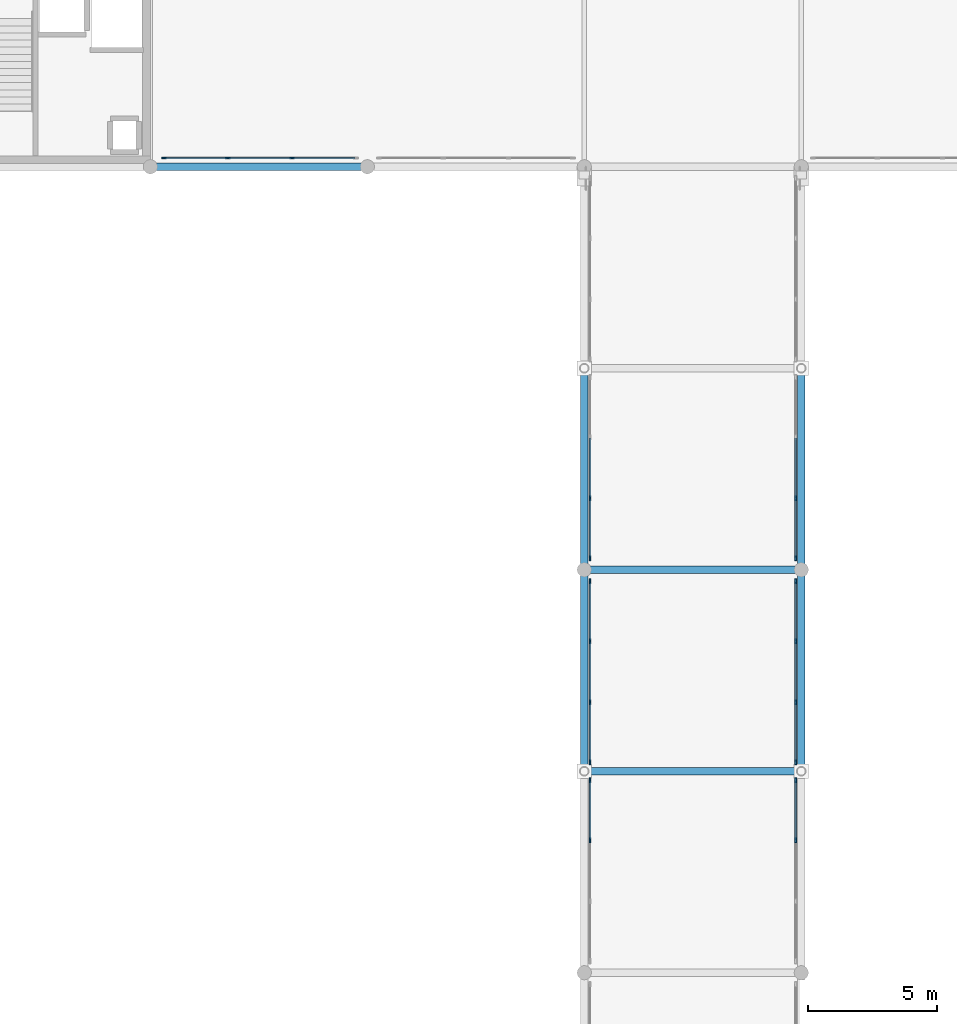
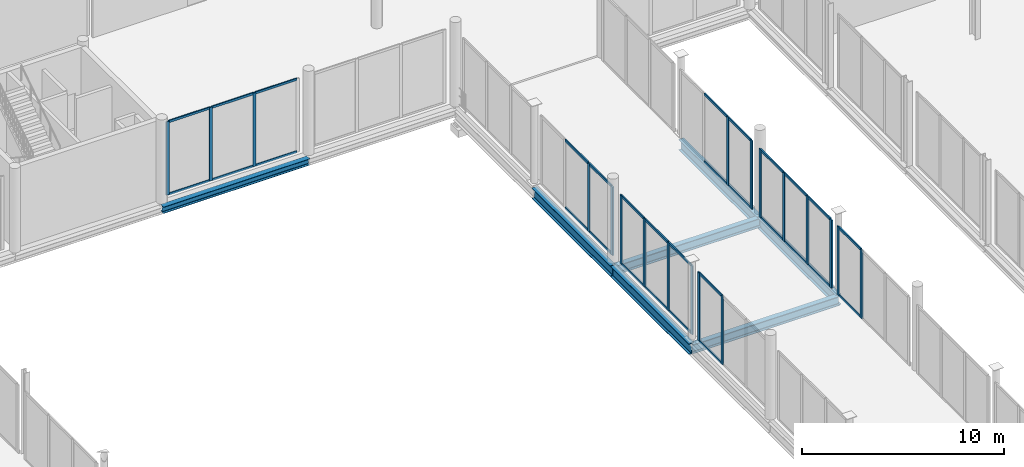
# One storey, part 48 of 105: 49 members, 7 beams, 7 elements without a shape of their own.
"""IFC4 building model written with IfcOpenShell, lengths in metres."""

from ifc_helpers import new_model, si_unit, direction, frame, origin, origin_2d, place, context, subcontext, project, spatial, rectangle, i_section, extrude, material, material_profile, profile_set, type_object, element, aggregate, save


model = new_model("IFC4")

# Units and contexts
model_context = context("Model", 3, precision=1e-05, world=origin(), true_north=direction((0.0, 1.0)))
body_context = subcontext(model_context, "Body", "Model", "MODEL_VIEW")
ifc_project = project(units=[si_unit("LENGTHUNIT", "METRE"), si_unit("AREAUNIT", "SQUARE_METRE"), si_unit("VOLUMEUNIT", "CUBIC_METRE"), si_unit("PLANEANGLEUNIT", "RADIAN"), si_unit("MASSUNIT", "GRAM", prefix="KILO")], contexts=[model_context])

# Site, building, storey
site_placement = place(None, origin())
site = spatial("IfcSite", under=ifc_project, at=site_placement, CompositionType="ELEMENT")
building_placement = place(site_placement, origin())
building = spatial("IfcBuilding", under=site, at=building_placement, Name="Nabrawat Pavilion Hospital", CompositionType="ELEMENT")
storey_placement = place(building_placement, frame((0.0, 0.0, 5.10009765625)))
storey = spatial("IfcBuildingStorey", under=building, at=storey_placement, Name="L01", CompositionType="ELEMENT", Elevation=5.10009765625)

# Beams
ifc_material_1 = material(Name="Steel S355", Category="steel")
ifc_material_profile_1 = material_profile(ifc_material_1, i_section(OverallWidth=0.300048828125, OverallDepth=0.64990234375, WebThickness=0.01611328125, FlangeThickness=0.031005859375, FilletRadius=0.027099609375, at=origin_2d()), Name="HEB 650")
ifc_profile_set_1 = profile_set([ifc_material_profile_1], Name="Steel S355")
beam_type_1 = type_object("IfcBeamType", Name="Courtyard Link Bridge Edge Girder HEB 650", PredefinedType="USERDEFINED", material=ifc_profile_set_1)
for number, where, z_axis, x_axis, name in (
    (1, (109.199951171875, 62.419921875, -0.614990234375), (0.0, 1.0, 0.0), (-1.0, 0.0, 0.0), "L01 Courtyard Link Bridge Edge Girder 782"),
    (2, (109.199951171875, 70.219970703125, -0.614990234375), (0.0, 1.0, 0.0), (-1.0, 0.0, 0.0), "L01 Courtyard Link Bridge Edge Girder 783"),
    (3, (117.60009765625, 62.419921875, -0.614990234375), (0.0, 1.0, 0.0), (-1.0, 0.0, 0.0), "L01 Courtyard Link Bridge Edge Girder 791"),
    (4, (117.60009765625, 70.219970703125, -0.614990234375), (0.0, 1.0, 0.0), (-1.0, 0.0, 0.0), "L01 Courtyard Link Bridge Edge Girder 792"),
):
    element("IfcBeam", number, at=place(storey_placement, frame(where, z_axis=z_axis, x_axis=x_axis)), inside=storey, type_object=beam_type_1, Name=name, ObjectType="GIRDER", PredefinedType="USERDEFINED", context=body_context, shape_type="SweptSolid", body=[
        extrude(i_section(OverallWidth=0.300048828125, OverallDepth=0.64990234375, WebThickness=0.01611328125, FlangeThickness=0.031005859375, FilletRadius=0.027099609375, at=origin_2d()), origin(), (0.0, 0.0, 1.0), 7.760009765625),
    ])

# Curtain wall, members
ifc_material_2 = material(Name="Anodised Aluminium", Category="aluminium")
curtain_wall_type_1 = type_object("IfcCurtainWallType", Name="Courtyard Link Bridge Glazed Curtain Wall", PredefinedType="USERDEFINED", material=ifc_material_2)
curtain_wall_1_placement = place(storey_placement, origin())
curtain_wall_1 = element("IfcCurtainWall", 5, at=curtain_wall_1_placement, inside=storey, type_object=curtain_wall_type_1, Name="L01 Courtyard Link Bridge Glazed Curtain Wall 073", ObjectType="CURTAIN WALL", PredefinedType="USERDEFINED")
ifc_material_profile_2 = material_profile(ifc_material_2, rectangle(XDim=0.070068359375, YDim=0.199951171875, at=origin_2d()), Name="CWM 70x200")
ifc_profile_set_2 = profile_set([ifc_material_profile_2], Name="Anodised Aluminium")
member_type_1 = type_object("IfcMemberType", Name="Courtyard Link Bridge Glazed Curtain Wall Mullion CWM 70x200", PredefinedType="MULLION", material=ifc_profile_set_2)
member_1_placement = place(storey_placement, frame((109.419921875, 59.7265625, 0.0), z_axis=(0.0, 0.0, 1.0), x_axis=(-1.0, 0.0, 0.0)))
member_1 = element("IfcMember", 6, at=member_1_placement, type_object=member_type_1, Name="CW-BRG-01 mullion 3", PredefinedType="MULLION", context=body_context, shape_type="SweptSolid", body=[
    extrude(rectangle(XDim=0.070068359375, YDim=0.199951171875, at=origin_2d()), origin(), (0.0, 0.0, 1.0), 4.139892578125),
])
member_2_placement = place(storey_placement, frame((109.419921875, 62.047119140625, 0.0), z_axis=(0.0, 0.0, 1.0), x_axis=(-1.0, 0.0, 0.0)))
member_2 = element("IfcMember", 7, at=member_2_placement, type_object=member_type_1, Name="CW-BRG-01 mullion 4", PredefinedType="MULLION", context=body_context, shape_type="SweptSolid", body=[
    extrude(rectangle(XDim=0.070068359375, YDim=0.199951171875, at=origin_2d()), origin(), (0.0, 0.0, 1.0), 4.139892578125),
])

curtain_wall_2_placement = place(storey_placement, origin())
curtain_wall_2 = element("IfcCurtainWall", 8, at=curtain_wall_2_placement, inside=storey, type_object=curtain_wall_type_1, Name="L01 Courtyard Link Bridge Glazed Curtain Wall 074", ObjectType="CURTAIN WALL", PredefinedType="USERDEFINED")
member_3_placement = place(storey_placement, frame((109.419921875, 62.752685546875, 0.0), z_axis=(0.0, 0.0, 1.0), x_axis=(-1.0, 0.0, 0.0)))
member_3 = element("IfcMember", 9, at=member_3_placement, type_object=member_type_1, Name="CW-BRG-01 mullion 1", PredefinedType="MULLION", context=body_context, shape_type="SweptSolid", body=[
    extrude(rectangle(XDim=0.070068359375, YDim=0.199951171875, at=origin_2d()), origin(), (0.0, 0.0, 1.0), 4.139892578125),
])
member_4_placement = place(storey_placement, frame((109.419921875, 65.073486328125, 0.0), z_axis=(0.0, 0.0, 1.0), x_axis=(-1.0, 0.0, 0.0)))
member_4 = element("IfcMember", 10, at=member_4_placement, type_object=member_type_1, Name="CW-BRG-01 mullion 2", PredefinedType="MULLION", context=body_context, shape_type="SweptSolid", body=[
    extrude(rectangle(XDim=0.070068359375, YDim=0.199951171875, at=origin_2d()), origin(), (0.0, 0.0, 1.0), 4.139892578125),
])
member_5_placement = place(storey_placement, frame((109.419921875, 67.42919921875, 0.0), z_axis=(0.0, 0.0, 1.0), x_axis=(-1.0, 0.0, 0.0)))
member_5 = element("IfcMember", 11, at=member_5_placement, type_object=member_type_1, Name="CW-BRG-01 mullion 3", PredefinedType="MULLION", context=body_context, shape_type="SweptSolid", body=[
    extrude(rectangle(XDim=0.070068359375, YDim=0.199951171875, at=origin_2d()), origin(), (0.0, 0.0, 1.0), 4.139892578125),
])
member_6_placement = place(storey_placement, frame((109.419921875, 69.75, 0.0), z_axis=(0.0, 0.0, 1.0), x_axis=(-1.0, 0.0, 0.0)))
member_6 = element("IfcMember", 12, at=member_6_placement, type_object=member_type_1, Name="CW-BRG-01 mullion 4", PredefinedType="MULLION", context=body_context, shape_type="SweptSolid", body=[
    extrude(rectangle(XDim=0.070068359375, YDim=0.199951171875, at=origin_2d()), origin(), (0.0, 0.0, 1.0), 4.139892578125),
])

curtain_wall_3_placement = place(storey_placement, origin())
curtain_wall_3 = element("IfcCurtainWall", 13, at=curtain_wall_3_placement, inside=storey, type_object=curtain_wall_type_1, Name="L01 Courtyard Link Bridge Glazed Curtain Wall 075", ObjectType="CURTAIN WALL", PredefinedType="USERDEFINED")
member_7_placement = place(storey_placement, frame((109.419921875, 70.64990234375, 0.0), z_axis=(0.0, 0.0, 1.0), x_axis=(-1.0, 0.0, 0.0)))
member_7 = element("IfcMember", 14, at=member_7_placement, type_object=member_type_1, Name="CW-BRG-01 mullion 1", PredefinedType="MULLION", context=body_context, shape_type="SweptSolid", body=[
    extrude(rectangle(XDim=0.070068359375, YDim=0.199951171875, at=origin_2d()), origin(), (0.0, 0.0, 1.0), 4.139892578125),
])
member_8_placement = place(storey_placement, frame((109.419921875, 72.970703125, 0.0), z_axis=(0.0, 0.0, 1.0), x_axis=(-1.0, 0.0, 0.0)))
member_8 = element("IfcMember", 15, at=member_8_placement, type_object=member_type_1, Name="CW-BRG-01 mullion 2", PredefinedType="MULLION", context=body_context, shape_type="SweptSolid", body=[
    extrude(rectangle(XDim=0.070068359375, YDim=0.199951171875, at=origin_2d()), origin(), (0.0, 0.0, 1.0), 4.139892578125),
])

curtain_wall_4_placement = place(storey_placement, origin())
curtain_wall_4 = element("IfcCurtainWall", 16, at=curtain_wall_4_placement, inside=storey, type_object=curtain_wall_type_1, Name="L01 Courtyard Link Bridge Glazed Curtain Wall 079", ObjectType="CURTAIN WALL", PredefinedType="USERDEFINED")
member_9_placement = place(storey_placement, frame((117.3798828125, 59.7265625, 0.0), z_axis=(0.0, 0.0, 1.0), x_axis=(-1.0, 0.0, 0.0)))
member_9 = element("IfcMember", 17, at=member_9_placement, type_object=member_type_1, Name="CW-BRG-01 mullion 3", PredefinedType="MULLION", context=body_context, shape_type="SweptSolid", body=[
    extrude(rectangle(XDim=0.070068359375, YDim=0.199951171875, at=origin_2d()), origin(), (0.0, 0.0, 1.0), 4.139892578125),
])
member_10_placement = place(storey_placement, frame((117.3798828125, 62.047119140625, 0.0), z_axis=(0.0, 0.0, 1.0), x_axis=(-1.0, 0.0, 0.0)))
member_10 = element("IfcMember", 18, at=member_10_placement, type_object=member_type_1, Name="CW-BRG-01 mullion 4", PredefinedType="MULLION", context=body_context, shape_type="SweptSolid", body=[
    extrude(rectangle(XDim=0.070068359375, YDim=0.199951171875, at=origin_2d()), origin(), (0.0, 0.0, 1.0), 4.139892578125),
])

curtain_wall_5_placement = place(storey_placement, origin())
curtain_wall_5 = element("IfcCurtainWall", 19, at=curtain_wall_5_placement, inside=storey, type_object=curtain_wall_type_1, Name="L01 Courtyard Link Bridge Glazed Curtain Wall 080", ObjectType="CURTAIN WALL", PredefinedType="USERDEFINED")
member_11_placement = place(storey_placement, frame((117.3798828125, 62.752685546875, 0.0), z_axis=(0.0, 0.0, 1.0), x_axis=(-1.0, 0.0, 0.0)))
member_11 = element("IfcMember", 20, at=member_11_placement, type_object=member_type_1, Name="CW-BRG-01 mullion 1", PredefinedType="MULLION", context=body_context, shape_type="SweptSolid", body=[
    extrude(rectangle(XDim=0.070068359375, YDim=0.199951171875, at=origin_2d()), origin(), (0.0, 0.0, 1.0), 4.139892578125),
])
member_12_placement = place(storey_placement, frame((117.3798828125, 65.073486328125, 0.0), z_axis=(0.0, 0.0, 1.0), x_axis=(-1.0, 0.0, 0.0)))
member_12 = element("IfcMember", 21, at=member_12_placement, type_object=member_type_1, Name="CW-BRG-01 mullion 2", PredefinedType="MULLION", context=body_context, shape_type="SweptSolid", body=[
    extrude(rectangle(XDim=0.070068359375, YDim=0.199951171875, at=origin_2d()), origin(), (0.0, 0.0, 1.0), 4.139892578125),
])
member_13_placement = place(storey_placement, frame((117.3798828125, 67.42919921875, 0.0), z_axis=(0.0, 0.0, 1.0), x_axis=(-1.0, 0.0, 0.0)))
member_13 = element("IfcMember", 22, at=member_13_placement, type_object=member_type_1, Name="CW-BRG-01 mullion 3", PredefinedType="MULLION", context=body_context, shape_type="SweptSolid", body=[
    extrude(rectangle(XDim=0.070068359375, YDim=0.199951171875, at=origin_2d()), origin(), (0.0, 0.0, 1.0), 4.139892578125),
])
member_14_placement = place(storey_placement, frame((117.3798828125, 69.75, 0.0), z_axis=(0.0, 0.0, 1.0), x_axis=(-1.0, 0.0, 0.0)))
member_14 = element("IfcMember", 23, at=member_14_placement, type_object=member_type_1, Name="CW-BRG-01 mullion 4", PredefinedType="MULLION", context=body_context, shape_type="SweptSolid", body=[
    extrude(rectangle(XDim=0.070068359375, YDim=0.199951171875, at=origin_2d()), origin(), (0.0, 0.0, 1.0), 4.139892578125),
])

curtain_wall_6_placement = place(storey_placement, origin())
curtain_wall_6 = element("IfcCurtainWall", 24, at=curtain_wall_6_placement, inside=storey, type_object=curtain_wall_type_1, Name="L01 Courtyard Link Bridge Glazed Curtain Wall 081", ObjectType="CURTAIN WALL", PredefinedType="USERDEFINED")
member_15_placement = place(storey_placement, frame((117.3798828125, 70.64990234375, 0.0), z_axis=(0.0, 0.0, 1.0), x_axis=(-1.0, 0.0, 0.0)))
member_15 = element("IfcMember", 25, at=member_15_placement, type_object=member_type_1, Name="CW-BRG-01 mullion 1", PredefinedType="MULLION", context=body_context, shape_type="SweptSolid", body=[
    extrude(rectangle(XDim=0.070068359375, YDim=0.199951171875, at=origin_2d()), origin(), (0.0, 0.0, 1.0), 4.139892578125),
])
member_16_placement = place(storey_placement, frame((117.3798828125, 72.970703125, 0.0), z_axis=(0.0, 0.0, 1.0), x_axis=(-1.0, 0.0, 0.0)))
member_16 = element("IfcMember", 26, at=member_16_placement, type_object=member_type_1, Name="CW-BRG-01 mullion 2", PredefinedType="MULLION", context=body_context, shape_type="SweptSolid", body=[
    extrude(rectangle(XDim=0.070068359375, YDim=0.199951171875, at=origin_2d()), origin(), (0.0, 0.0, 1.0), 4.139892578125),
])

# Member
ifc_material_profile_3 = material_profile(ifc_material_2, rectangle(XDim=0.070068359375, YDim=0.14990234375, at=origin_2d()), Name="CWT 70x150")
ifc_profile_set_3 = profile_set([ifc_material_profile_3], Name="Anodised Aluminium")
member_type_2 = type_object("IfcMemberType", Name="Courtyard Link Bridge Glazed Curtain Wall Transom CWT 70x150", PredefinedType="USERDEFINED", material=ifc_profile_set_3)
member_17_placement = place(storey_placement, frame((109.419921875, 59.761474609375, 0.034912109375), z_axis=(0.0, 1.0, 0.0), x_axis=(-1.0, 0.0, 0.0)))
member_17 = element("IfcMember", 27, at=member_17_placement, type_object=member_type_2, Name="CW-BRG-01 transom 3.1", ObjectType="TRANSOM", PredefinedType="USERDEFINED", context=body_context, shape_type="SweptSolid", body=[
    extrude(rectangle(XDim=0.070068359375, YDim=0.14990234375, at=origin_2d()), origin(), (0.0, 0.0, 1.0), 2.250732421875),
])

member_18_placement = place(storey_placement, frame((109.419921875, 59.761474609375, 4.10498046875), z_axis=(0.0, 1.0, 0.0), x_axis=(-1.0, 0.0, 0.0)))
member_18 = element("IfcMember", 28, at=member_18_placement, type_object=member_type_2, Name="CW-BRG-01 transom 3.2", ObjectType="TRANSOM", PredefinedType="USERDEFINED", context=body_context, shape_type="SweptSolid", body=[
    extrude(rectangle(XDim=0.070068359375, YDim=0.14990234375, at=origin_2d()), origin(), (0.0, 0.0, 1.0), 2.250732421875),
])

aggregate(curtain_wall_1, [member_1, member_2, member_17, member_18])

member_19_placement = place(storey_placement, frame((109.419921875, 62.787841796875, 0.034912109375), z_axis=(0.0, 1.0, 0.0), x_axis=(-1.0, 0.0, 0.0)))
member_19 = element("IfcMember", 29, at=member_19_placement, type_object=member_type_2, Name="CW-BRG-01 transom 1.1", ObjectType="TRANSOM", PredefinedType="USERDEFINED", context=body_context, shape_type="SweptSolid", body=[
    extrude(rectangle(XDim=0.070068359375, YDim=0.14990234375, at=origin_2d()), origin(), (0.0, 0.0, 1.0), 2.250732421875),
])

member_20_placement = place(storey_placement, frame((109.419921875, 62.787841796875, 4.10498046875), z_axis=(0.0, 1.0, 0.0), x_axis=(-1.0, 0.0, 0.0)))
member_20 = element("IfcMember", 30, at=member_20_placement, type_object=member_type_2, Name="CW-BRG-01 transom 1.2", ObjectType="TRANSOM", PredefinedType="USERDEFINED", context=body_context, shape_type="SweptSolid", body=[
    extrude(rectangle(XDim=0.070068359375, YDim=0.14990234375, at=origin_2d()), origin(), (0.0, 0.0, 1.0), 2.250732421875),
])

member_21_placement = place(storey_placement, frame((109.419921875, 65.108642578125, 0.034912109375), z_axis=(0.0, 1.0, 0.0), x_axis=(-1.0, 0.0, 0.0)))
member_21 = element("IfcMember", 31, at=member_21_placement, type_object=member_type_2, Name="CW-BRG-01 transom 2.1", ObjectType="TRANSOM", PredefinedType="USERDEFINED", context=body_context, shape_type="SweptSolid", body=[
    extrude(rectangle(XDim=0.070068359375, YDim=0.14990234375, at=origin_2d()), origin(), (0.0, 0.0, 1.0), 2.28564453125),
])

member_22_placement = place(storey_placement, frame((109.419921875, 65.108642578125, 4.10498046875), z_axis=(0.0, 1.0, 0.0), x_axis=(-1.0, 0.0, 0.0)))
member_22 = element("IfcMember", 32, at=member_22_placement, type_object=member_type_2, Name="CW-BRG-01 transom 2.2", ObjectType="TRANSOM", PredefinedType="USERDEFINED", context=body_context, shape_type="SweptSolid", body=[
    extrude(rectangle(XDim=0.070068359375, YDim=0.14990234375, at=origin_2d()), origin(), (0.0, 0.0, 1.0), 2.28564453125),
])

member_23_placement = place(storey_placement, frame((109.419921875, 67.46435546875, 0.034912109375), z_axis=(0.0, 1.0, 0.0), x_axis=(-1.0, 0.0, 0.0)))
member_23 = element("IfcMember", 33, at=member_23_placement, type_object=member_type_2, Name="CW-BRG-01 transom 3.1", ObjectType="TRANSOM", PredefinedType="USERDEFINED", context=body_context, shape_type="SweptSolid", body=[
    extrude(rectangle(XDim=0.070068359375, YDim=0.14990234375, at=origin_2d()), origin(), (0.0, 0.0, 1.0), 2.250732421875),
])

member_24_placement = place(storey_placement, frame((109.419921875, 67.46435546875, 4.10498046875), z_axis=(0.0, 1.0, 0.0), x_axis=(-1.0, 0.0, 0.0)))
member_24 = element("IfcMember", 34, at=member_24_placement, type_object=member_type_2, Name="CW-BRG-01 transom 3.2", ObjectType="TRANSOM", PredefinedType="USERDEFINED", context=body_context, shape_type="SweptSolid", body=[
    extrude(rectangle(XDim=0.070068359375, YDim=0.14990234375, at=origin_2d()), origin(), (0.0, 0.0, 1.0), 2.250732421875),
])

aggregate(curtain_wall_2, [member_3, member_4, member_5, member_6, member_19, member_20, member_21, member_22, member_23, member_24])

member_25_placement = place(storey_placement, frame((109.419921875, 70.68505859375, 0.034912109375), z_axis=(0.0, 1.0, 0.0), x_axis=(-1.0, 0.0, 0.0)))
member_25 = element("IfcMember", 35, at=member_25_placement, type_object=member_type_2, Name="CW-BRG-01 transom 1.1", ObjectType="TRANSOM", PredefinedType="USERDEFINED", context=body_context, shape_type="SweptSolid", body=[
    extrude(rectangle(XDim=0.070068359375, YDim=0.14990234375, at=origin_2d()), origin(), (0.0, 0.0, 1.0), 2.250732421875),
])

member_26_placement = place(storey_placement, frame((109.419921875, 70.68505859375, 4.10498046875), z_axis=(0.0, 1.0, 0.0), x_axis=(-1.0, 0.0, 0.0)))
member_26 = element("IfcMember", 36, at=member_26_placement, type_object=member_type_2, Name="CW-BRG-01 transom 1.2", ObjectType="TRANSOM", PredefinedType="USERDEFINED", context=body_context, shape_type="SweptSolid", body=[
    extrude(rectangle(XDim=0.070068359375, YDim=0.14990234375, at=origin_2d()), origin(), (0.0, 0.0, 1.0), 2.250732421875),
])

member_27_placement = place(storey_placement, frame((109.419921875, 73.005615234375, 0.034912109375), z_axis=(0.0, 1.0, 0.0), x_axis=(-1.0, 0.0, 0.0)))
member_27 = element("IfcMember", 37, at=member_27_placement, type_object=member_type_2, Name="CW-BRG-01 transom 2.1", ObjectType="TRANSOM", PredefinedType="USERDEFINED", context=body_context, shape_type="SweptSolid", body=[
    extrude(rectangle(XDim=0.070068359375, YDim=0.14990234375, at=origin_2d()), origin(), (0.0, 0.0, 1.0), 2.285888671875),
])

member_28_placement = place(storey_placement, frame((109.419921875, 73.005615234375, 4.10498046875), z_axis=(0.0, 1.0, 0.0), x_axis=(-1.0, 0.0, 0.0)))
member_28 = element("IfcMember", 38, at=member_28_placement, type_object=member_type_2, Name="CW-BRG-01 transom 2.2", ObjectType="TRANSOM", PredefinedType="USERDEFINED", context=body_context, shape_type="SweptSolid", body=[
    extrude(rectangle(XDim=0.070068359375, YDim=0.14990234375, at=origin_2d()), origin(), (0.0, 0.0, 1.0), 2.285888671875),
])

aggregate(curtain_wall_3, [member_7, member_8, member_25, member_26, member_27, member_28])

member_29_placement = place(storey_placement, frame((117.3798828125, 59.761474609375, 0.034912109375), z_axis=(0.0, 1.0, 0.0), x_axis=(-1.0, 0.0, 0.0)))
member_29 = element("IfcMember", 39, at=member_29_placement, type_object=member_type_2, Name="CW-BRG-01 transom 3.1", ObjectType="TRANSOM", PredefinedType="USERDEFINED", context=body_context, shape_type="SweptSolid", body=[
    extrude(rectangle(XDim=0.070068359375, YDim=0.14990234375, at=origin_2d()), origin(), (0.0, 0.0, 1.0), 2.250732421875),
])

member_30_placement = place(storey_placement, frame((117.3798828125, 59.761474609375, 4.10498046875), z_axis=(0.0, 1.0, 0.0), x_axis=(-1.0, 0.0, 0.0)))
member_30 = element("IfcMember", 40, at=member_30_placement, type_object=member_type_2, Name="CW-BRG-01 transom 3.2", ObjectType="TRANSOM", PredefinedType="USERDEFINED", context=body_context, shape_type="SweptSolid", body=[
    extrude(rectangle(XDim=0.070068359375, YDim=0.14990234375, at=origin_2d()), origin(), (0.0, 0.0, 1.0), 2.250732421875),
])

aggregate(curtain_wall_4, [member_9, member_10, member_29, member_30])

member_31_placement = place(storey_placement, frame((117.3798828125, 62.787841796875, 0.034912109375), z_axis=(0.0, 1.0, 0.0), x_axis=(-1.0, 0.0, 0.0)))
member_31 = element("IfcMember", 41, at=member_31_placement, type_object=member_type_2, Name="CW-BRG-01 transom 1.1", ObjectType="TRANSOM", PredefinedType="USERDEFINED", context=body_context, shape_type="SweptSolid", body=[
    extrude(rectangle(XDim=0.070068359375, YDim=0.14990234375, at=origin_2d()), origin(), (0.0, 0.0, 1.0), 2.250732421875),
])

member_32_placement = place(storey_placement, frame((117.3798828125, 62.787841796875, 4.10498046875), z_axis=(0.0, 1.0, 0.0), x_axis=(-1.0, 0.0, 0.0)))
member_32 = element("IfcMember", 42, at=member_32_placement, type_object=member_type_2, Name="CW-BRG-01 transom 1.2", ObjectType="TRANSOM", PredefinedType="USERDEFINED", context=body_context, shape_type="SweptSolid", body=[
    extrude(rectangle(XDim=0.070068359375, YDim=0.14990234375, at=origin_2d()), origin(), (0.0, 0.0, 1.0), 2.250732421875),
])

member_33_placement = place(storey_placement, frame((117.3798828125, 65.108642578125, 0.034912109375), z_axis=(0.0, 1.0, 0.0), x_axis=(-1.0, 0.0, 0.0)))
member_33 = element("IfcMember", 43, at=member_33_placement, type_object=member_type_2, Name="CW-BRG-01 transom 2.1", ObjectType="TRANSOM", PredefinedType="USERDEFINED", context=body_context, shape_type="SweptSolid", body=[
    extrude(rectangle(XDim=0.070068359375, YDim=0.14990234375, at=origin_2d()), origin(), (0.0, 0.0, 1.0), 2.28564453125),
])

member_34_placement = place(storey_placement, frame((117.3798828125, 65.108642578125, 4.10498046875), z_axis=(0.0, 1.0, 0.0), x_axis=(-1.0, 0.0, 0.0)))
member_34 = element("IfcMember", 44, at=member_34_placement, type_object=member_type_2, Name="CW-BRG-01 transom 2.2", ObjectType="TRANSOM", PredefinedType="USERDEFINED", context=body_context, shape_type="SweptSolid", body=[
    extrude(rectangle(XDim=0.070068359375, YDim=0.14990234375, at=origin_2d()), origin(), (0.0, 0.0, 1.0), 2.28564453125),
])

member_35_placement = place(storey_placement, frame((117.3798828125, 67.46435546875, 0.034912109375), z_axis=(0.0, 1.0, 0.0), x_axis=(-1.0, 0.0, 0.0)))
member_35 = element("IfcMember", 45, at=member_35_placement, type_object=member_type_2, Name="CW-BRG-01 transom 3.1", ObjectType="TRANSOM", PredefinedType="USERDEFINED", context=body_context, shape_type="SweptSolid", body=[
    extrude(rectangle(XDim=0.070068359375, YDim=0.14990234375, at=origin_2d()), origin(), (0.0, 0.0, 1.0), 2.250732421875),
])

member_36_placement = place(storey_placement, frame((117.3798828125, 67.46435546875, 4.10498046875), z_axis=(0.0, 1.0, 0.0), x_axis=(-1.0, 0.0, 0.0)))
member_36 = element("IfcMember", 46, at=member_36_placement, type_object=member_type_2, Name="CW-BRG-01 transom 3.2", ObjectType="TRANSOM", PredefinedType="USERDEFINED", context=body_context, shape_type="SweptSolid", body=[
    extrude(rectangle(XDim=0.070068359375, YDim=0.14990234375, at=origin_2d()), origin(), (0.0, 0.0, 1.0), 2.250732421875),
])

aggregate(curtain_wall_5, [member_11, member_12, member_13, member_14, member_31, member_32, member_33, member_34, member_35, member_36])

member_37_placement = place(storey_placement, frame((117.3798828125, 70.68505859375, 0.034912109375), z_axis=(0.0, 1.0, 0.0), x_axis=(-1.0, 0.0, 0.0)))
member_37 = element("IfcMember", 47, at=member_37_placement, type_object=member_type_2, Name="CW-BRG-01 transom 1.1", ObjectType="TRANSOM", PredefinedType="USERDEFINED", context=body_context, shape_type="SweptSolid", body=[
    extrude(rectangle(XDim=0.070068359375, YDim=0.14990234375, at=origin_2d()), origin(), (0.0, 0.0, 1.0), 2.250732421875),
])

member_38_placement = place(storey_placement, frame((117.3798828125, 70.68505859375, 4.10498046875), z_axis=(0.0, 1.0, 0.0), x_axis=(-1.0, 0.0, 0.0)))
member_38 = element("IfcMember", 48, at=member_38_placement, type_object=member_type_2, Name="CW-BRG-01 transom 1.2", ObjectType="TRANSOM", PredefinedType="USERDEFINED", context=body_context, shape_type="SweptSolid", body=[
    extrude(rectangle(XDim=0.070068359375, YDim=0.14990234375, at=origin_2d()), origin(), (0.0, 0.0, 1.0), 2.250732421875),
])

member_39_placement = place(storey_placement, frame((117.3798828125, 73.005615234375, 0.034912109375), z_axis=(0.0, 1.0, 0.0), x_axis=(-1.0, 0.0, 0.0)))
member_39 = element("IfcMember", 49, at=member_39_placement, type_object=member_type_2, Name="CW-BRG-01 transom 2.1", ObjectType="TRANSOM", PredefinedType="USERDEFINED", context=body_context, shape_type="SweptSolid", body=[
    extrude(rectangle(XDim=0.070068359375, YDim=0.14990234375, at=origin_2d()), origin(), (0.0, 0.0, 1.0), 2.285888671875),
])

member_40_placement = place(storey_placement, frame((117.3798828125, 73.005615234375, 4.10498046875), z_axis=(0.0, 1.0, 0.0), x_axis=(-1.0, 0.0, 0.0)))
member_40 = element("IfcMember", 50, at=member_40_placement, type_object=member_type_2, Name="CW-BRG-01 transom 2.2", ObjectType="TRANSOM", PredefinedType="USERDEFINED", context=body_context, shape_type="SweptSolid", body=[
    extrude(rectangle(XDim=0.070068359375, YDim=0.14990234375, at=origin_2d()), origin(), (0.0, 0.0, 1.0), 2.285888671875),
])

aggregate(curtain_wall_6, [member_15, member_16, member_37, member_38, member_39, member_40])

# Curtain wall, members
curtain_wall_type_2 = type_object("IfcCurtainWallType", Name="Healing Garden Cloister Curtain Wall", PredefinedType="USERDEFINED", material=ifc_material_2)
curtain_wall_7_placement = place(storey_placement, origin())
curtain_wall_7 = element("IfcCurtainWall", 51, at=curtain_wall_7_placement, inside=storey, type_object=curtain_wall_type_2, Name="L01 Healing Garden Cloister Curtain Wall 069", ObjectType="CURTAIN WALL", PredefinedType="USERDEFINED")
ifc_material_profile_4 = material_profile(ifc_material_2, rectangle(XDim=0.06494140625, YDim=0.179931640625, at=origin_2d()), Name="CWM 65x180")
ifc_profile_set_4 = profile_set([ifc_material_profile_4], Name="Anodised Aluminium")
member_type_3 = type_object("IfcMemberType", Name="Healing Garden Cloister Curtain Wall Mullion CWM 65x180", PredefinedType="MULLION", material=ifc_profile_set_4)
member_41_placement = place(storey_placement, frame((92.9326171875, 86.139892578125, 0.0), z_axis=(0.0, 0.0, 1.0), x_axis=(0.0, 1.0, 0.0)))
member_41 = element("IfcMember", 52, at=member_41_placement, type_object=member_type_3, Name="CW-CLN-01 mullion 1", PredefinedType="MULLION", context=body_context, shape_type="SweptSolid", body=[
    extrude(rectangle(XDim=0.06494140625, YDim=0.179931640625, at=origin_2d()), origin(), (0.0, 0.0, 1.0), 4.43994140625),
])
member_42_placement = place(storey_placement, frame((95.39501953125, 86.139892578125, 0.0), z_axis=(0.0, 0.0, 1.0), x_axis=(0.0, 1.0, 0.0)))
member_42 = element("IfcMember", 53, at=member_42_placement, type_object=member_type_3, Name="CW-CLN-01 mullion 2", PredefinedType="MULLION", context=body_context, shape_type="SweptSolid", body=[
    extrude(rectangle(XDim=0.06494140625, YDim=0.179931640625, at=origin_2d()), origin(), (0.0, 0.0, 1.0), 4.43994140625),
])
member_43_placement = place(storey_placement, frame((97.889892578125, 86.139892578125, 0.0), z_axis=(0.0, 0.0, 1.0), x_axis=(0.0, 1.0, 0.0)))
member_43 = element("IfcMember", 54, at=member_43_placement, type_object=member_type_3, Name="CW-CLN-01 mullion 3", PredefinedType="MULLION", context=body_context, shape_type="SweptSolid", body=[
    extrude(rectangle(XDim=0.06494140625, YDim=0.179931640625, at=origin_2d()), origin(), (0.0, 0.0, 1.0), 4.43994140625),
])
ifc_material_profile_5 = material_profile(ifc_material_2, rectangle(XDim=0.06494140625, YDim=0.135009765625, at=origin_2d()), Name="CWT 65x135")
ifc_profile_set_5 = profile_set([ifc_material_profile_5], Name="Anodised Aluminium")
member_type_4 = type_object("IfcMemberType", Name="Healing Garden Cloister Curtain Wall Transom CWT 65x135", PredefinedType="USERDEFINED", material=ifc_profile_set_5)
member_44_placement = place(storey_placement, frame((92.965087890625, 86.139892578125, 0.032470703125), z_axis=(1.0, 0.0, 0.0), x_axis=(0.0, 1.0, 0.0)))
member_44 = element("IfcMember", 55, at=member_44_placement, type_object=member_type_4, Name="CW-CLN-01 transom 1.1", ObjectType="TRANSOM", PredefinedType="USERDEFINED", context=body_context, shape_type="SweptSolid", body=[
    extrude(rectangle(XDim=0.06494140625, YDim=0.135009765625, at=origin_2d()), origin(), (0.0, 0.0, 1.0), 2.3974609375),
])
member_45_placement = place(storey_placement, frame((92.965087890625, 86.139892578125, 4.407470703125), z_axis=(1.0, 0.0, 0.0), x_axis=(0.0, 1.0, 0.0)))
member_45 = element("IfcMember", 56, at=member_45_placement, type_object=member_type_4, Name="CW-CLN-01 transom 1.2", ObjectType="TRANSOM", PredefinedType="USERDEFINED", context=body_context, shape_type="SweptSolid", body=[
    extrude(rectangle(XDim=0.06494140625, YDim=0.135009765625, at=origin_2d()), origin(), (0.0, 0.0, 1.0), 2.3974609375),
])
member_46_placement = place(storey_placement, frame((95.427490234375, 86.139892578125, 0.032470703125), z_axis=(1.0, 0.0, 0.0), x_axis=(0.0, 1.0, 0.0)))
member_46 = element("IfcMember", 57, at=member_46_placement, type_object=member_type_4, Name="CW-CLN-01 transom 2.1", ObjectType="TRANSOM", PredefinedType="USERDEFINED", context=body_context, shape_type="SweptSolid", body=[
    extrude(rectangle(XDim=0.06494140625, YDim=0.135009765625, at=origin_2d()), origin(), (0.0, 0.0, 1.0), 2.429931640625),
])
member_47_placement = place(storey_placement, frame((95.427490234375, 86.139892578125, 4.407470703125), z_axis=(1.0, 0.0, 0.0), x_axis=(0.0, 1.0, 0.0)))
member_47 = element("IfcMember", 58, at=member_47_placement, type_object=member_type_4, Name="CW-CLN-01 transom 2.2", ObjectType="TRANSOM", PredefinedType="USERDEFINED", context=body_context, shape_type="SweptSolid", body=[
    extrude(rectangle(XDim=0.06494140625, YDim=0.135009765625, at=origin_2d()), origin(), (0.0, 0.0, 1.0), 2.429931640625),
])
member_48_placement = place(storey_placement, frame((97.922607421875, 86.139892578125, 0.032470703125), z_axis=(1.0, 0.0, 0.0), x_axis=(0.0, 1.0, 0.0)))
member_48 = element("IfcMember", 59, at=member_48_placement, type_object=member_type_4, Name="CW-CLN-01 transom 3.1", ObjectType="TRANSOM", PredefinedType="USERDEFINED", context=body_context, shape_type="SweptSolid", body=[
    extrude(rectangle(XDim=0.06494140625, YDim=0.135009765625, at=origin_2d()), origin(), (0.0, 0.0, 1.0), 2.3974609375),
])
member_49_placement = place(storey_placement, frame((97.922607421875, 86.139892578125, 4.407470703125), z_axis=(1.0, 0.0, 0.0), x_axis=(0.0, 1.0, 0.0)))
member_49 = element("IfcMember", 60, at=member_49_placement, type_object=member_type_4, Name="CW-CLN-01 transom 3.2", ObjectType="TRANSOM", PredefinedType="USERDEFINED", context=body_context, shape_type="SweptSolid", body=[
    extrude(rectangle(XDim=0.06494140625, YDim=0.135009765625, at=origin_2d()), origin(), (0.0, 0.0, 1.0), 2.3974609375),
])
aggregate(curtain_wall_7, [member_41, member_42, member_43, member_44, member_45, member_46, member_47, member_48, member_49])

# Beams
ifc_material_profile_6 = material_profile(ifc_material_1, i_section(OverallWidth=0.300048828125, OverallDepth=0.389892578125, WebThickness=0.010986328125, FlangeThickness=0.01904296875, FilletRadius=0.027099609375, at=origin_2d()), Name="HEA 400")
ifc_profile_set_6 = profile_set([ifc_material_profile_6], Name="Steel S355")
beam_type_2 = type_object("IfcBeamType", Name="Perimeter Moment Spandrel Beam HEA 400", PredefinedType="SPANDREL", material=ifc_profile_set_6)
beam_placement = place(storey_placement, frame((92.419921875, 85.800048828125, -0.47509765625), z_axis=(1.0, 0.0, 0.0), x_axis=(0.0, 1.0, 0.0)))
element("IfcBeam", 61, at=beam_placement, inside=storey, type_object=beam_type_2, Name="L01 Primary X Girder 610", PredefinedType="SPANDREL", context=body_context, shape_type="SweptSolid", body=[
    extrude(i_section(OverallWidth=0.300048828125, OverallDepth=0.389892578125, WebThickness=0.010986328125, FlangeThickness=0.01904296875, FilletRadius=0.027099609375, at=origin_2d()), origin(), (0.0, 0.0, 1.0), 8.360107421875),
])
ifc_material_profile_7 = material_profile(ifc_material_1, i_section(OverallWidth=0.300048828125, OverallDepth=0.550048828125, WebThickness=0.014892578125, FlangeThickness=0.029052734375, FilletRadius=0.027099609375, at=origin_2d()), Name="HEB 550")
ifc_profile_set_7 = profile_set([ifc_material_profile_7], Name="Steel S355")
beam_type_3 = type_object("IfcBeamType", Name="Primary Floor Girder HEB 550", PredefinedType="USERDEFINED", material=ifc_profile_set_7)
for number, where, z_axis, x_axis, name in (
    (62, (109.219970703125, 62.39990234375, -0.565185546875), (1.0, 0.0, 0.0), (0.0, 1.0, 0.0), "L01 Courtyard Link Bridge Girder 567"),
    (63, (109.219970703125, 70.199951171875, -0.565185546875), (1.0, 0.0, 0.0), (0.0, 1.0, 0.0), "L01 Courtyard Link Bridge Girder 578"),
):
    element("IfcBeam", number, at=place(storey_placement, frame(where, z_axis=z_axis, x_axis=x_axis)), inside=storey, type_object=beam_type_3, Name=name, ObjectType="GIRDER", PredefinedType="USERDEFINED", context=body_context, shape_type="SweptSolid", body=[
        extrude(i_section(OverallWidth=0.300048828125, OverallDepth=0.550048828125, WebThickness=0.014892578125, FlangeThickness=0.029052734375, FilletRadius=0.027099609375, at=origin_2d()), origin(), (0.0, 0.0, 1.0), 8.360107421875),
    ])

save(model, "model.ifc")
